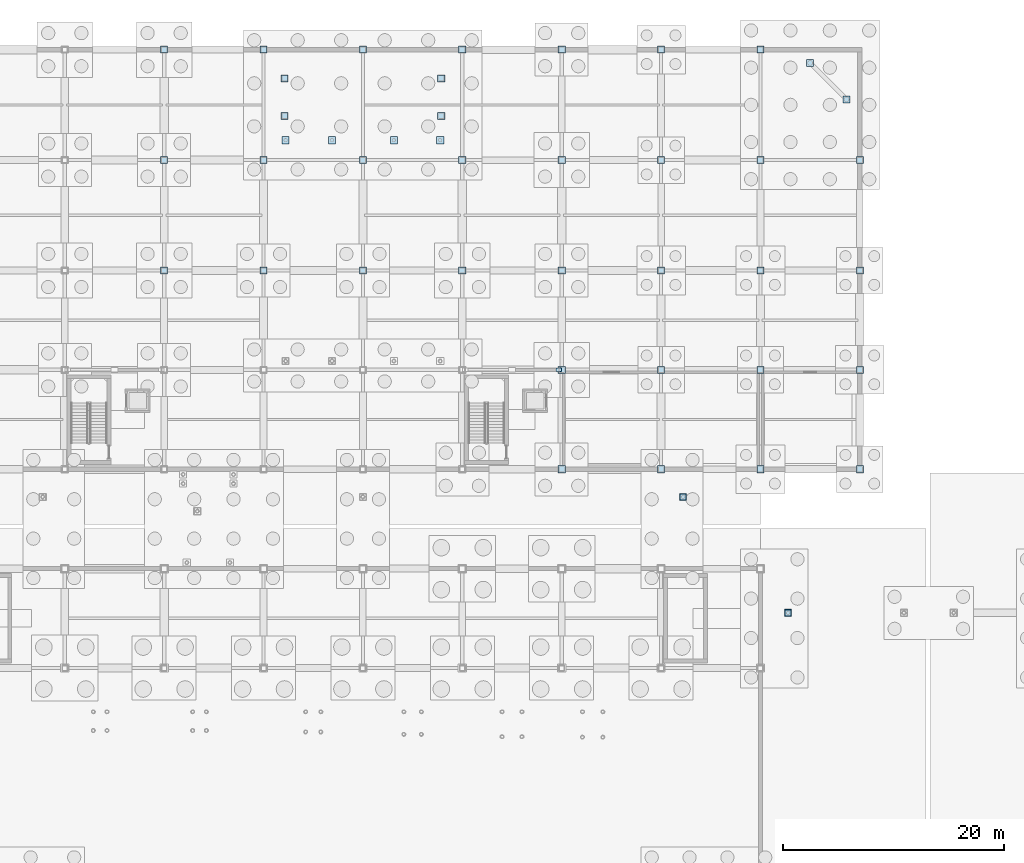
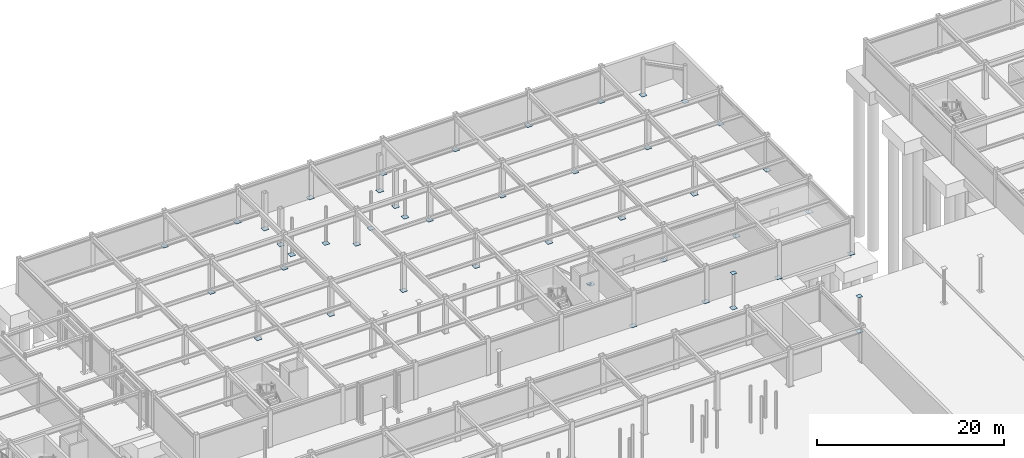
# One storey, part 49 of 74: 46 plates.
"""IFC4 building model written with IfcOpenShell, lengths in metres."""

from ifc_helpers import new_model, si_unit, direction, frame, origin, origin_2d, place, context, subcontext, project, spatial, rectangle, extrude, material, layer, layer_set, type_object, element, save


model = new_model("IFC4")

# Units and contexts
model_context = context("Model", 3, precision=1e-05, world=origin(), true_north=direction((0.0, 1.0)))
body_context = subcontext(model_context, "Body", "Model", "MODEL_VIEW")
ifc_project = project(units=[si_unit("LENGTHUNIT", "METRE"), si_unit("AREAUNIT", "SQUARE_METRE"), si_unit("VOLUMEUNIT", "CUBIC_METRE"), si_unit("PLANEANGLEUNIT", "RADIAN"), si_unit("MASSUNIT", "GRAM", prefix="KILO")], contexts=[model_context])

# Site, building, storey
site_placement = place(None, origin())
site = spatial("IfcSite", under=ifc_project, at=site_placement, CompositionType="ELEMENT")
building_placement = place(site_placement, origin())
building = spatial("IfcBuilding", under=site, at=building_placement, Name="Suzunagisa Mobility Hub", CompositionType="ELEMENT")
storey_placement = place(building_placement, frame((0.0, 0.0, -4.800048828125)))
storey = spatial("IfcBuildingStorey", under=building, at=storey_placement, Name="B1", CompositionType="ELEMENT", Elevation=-4.800048828125)

# Plates
ifc_material = material(Name="Steel SN490B", Category="steel")
ifc_layer_1 = layer(ifc_material, 0.02392578125)
ifc_layer_set_1 = layer_set([ifc_layer_1], Name="Steel SN490B")
plate_type_1 = type_object("IfcPlateType", Name="Structural Steel Plate SP-01 550x550x24", PredefinedType="USERDEFINED", material=ifc_layer_set_1)
for number, where, z_axis, x_axis, name in (
    (1, (110.0, 77.5, 4.55517578125), (0.0, 0.0, 1.0), (1.0, 0.0, 0.0), "B1 Column Cap Plate CP-209"),
    (2, (119.5, 67.0, 4.55517578125), (0.0, 0.0, 1.0), (1.0, 0.0, 0.0), "B1 Column Cap Plate CP-222"),
):
    element("IfcPlate", number, at=place(storey_placement, frame(where, z_axis=z_axis, x_axis=x_axis)), inside=storey, type_object=plate_type_1, Name=name, ObjectType="BASE PLATE", PredefinedType="USERDEFINED", context=body_context, shape_type="SweptSolid", body=[
        extrude(rectangle(XDim=0.550048828125, YDim=0.550048828125, at=origin_2d()), origin(), (0.0, 0.0, 1.0), 0.02392578125),
    ])
ifc_layer_2 = layer(ifc_material, 0.028076171875)
ifc_layer_set_2 = layer_set([ifc_layer_2], Name="Steel SN490B")
plate_type_2 = type_object("IfcPlateType", Name="Structural Steel Plate SP-04 480x320x28", PredefinedType="USERDEFINED", material=ifc_layer_set_2)
plate_placement = place(storey_placement, frame((98.72998046875, 89.0, 0.10595703125), z_axis=(0.0, 0.0, 1.0), x_axis=(1.0, 0.0, 0.0)))
element("IfcPlate", 3, at=plate_placement, inside=storey, type_object=plate_type_2, Name="B1 Brace Foot Gusset Plate FGP-119.2", ObjectType="GUSSET PLATE", PredefinedType="USERDEFINED", context=body_context, shape_type="SweptSolid", body=[
    extrude(rectangle(XDim=0.47998046875, YDim=0.320068359375, at=origin_2d()), origin(), (0.0, 0.0, 1.0), 0.028076171875),
])
ifc_layer_3 = layer(ifc_material, 0.031982421875)
ifc_layer_set_3 = layer_set([ifc_layer_3], Name="Steel SN490B")
plate_type_3 = type_object("IfcPlateType", Name="Structural Steel Plate SP-05 650x650x32", PredefinedType="USERDEFINED", material=ifc_layer_set_3)
for number, where, z_axis, x_axis, name in (
    (4, (63.0, 98.0, -0.03173828125), (0.0, 0.0, 1.0), (1.0, 0.0, 0.0), "Column Base Plate BP-140"),
    (5, (63.0, 108.0, -0.03173828125), (0.0, 0.0, 1.0), (1.0, 0.0, 0.0), "Column Base Plate BP-141"),
    (6, (63.0, 118.0, -0.03173828125), (0.0, 0.0, 1.0), (1.0, 0.0, 0.0), "Column Base Plate BP-142"),
    (7, (72.0, 98.0, -0.03173828125), (0.0, 0.0, 1.0), (1.0, 0.0, 0.0), "Column Base Plate BP-156"),
    (8, (72.0, 108.0, -0.03173828125), (0.0, 0.0, 1.0), (1.0, 0.0, 0.0), "Column Base Plate BP-157"),
    (9, (72.0, 118.0, -0.03173828125), (0.0, 0.0, 1.0), (1.0, 0.0, 0.0), "Column Base Plate BP-158"),
    (10, (73.89990234375, 112.0, -0.03173828125), (0.0, 0.0, 1.0), (1.0, 0.0, 0.0), "Column Base Plate BP-159"),
    (11, (73.89990234375, 115.39990234375, -0.03173828125), (0.0, 0.0, 1.0), (1.0, 0.0, 0.0), "Column Base Plate BP-160"),
    (12, (74.0, 109.800048828125, -0.03173828125), (0.0, 0.0, 1.0), (1.0, 0.0, 0.0), "Column Base Plate BP-162"),
    (13, (78.199951171875, 109.800048828125, -0.03173828125), (0.0, 0.0, 1.0), (1.0, 0.0, 0.0), "Column Base Plate BP-164"),
    (14, (81.0, 98.0, -0.03173828125), (0.0, 0.0, 1.0), (1.0, 0.0, 0.0), "Column Base Plate BP-173"),
    (15, (81.0, 108.0, -0.03173828125), (0.0, 0.0, 1.0), (1.0, 0.0, 0.0), "Column Base Plate BP-174"),
    (16, (81.0, 118.0, -0.03173828125), (0.0, 0.0, 1.0), (1.0, 0.0, 0.0), "Column Base Plate BP-175"),
    (17, (83.800048828125, 109.800048828125, -0.03173828125), (0.0, 0.0, 1.0), (1.0, 0.0, 0.0), "Column Base Plate BP-177"),
    (18, (88.0, 109.800048828125, -0.03173828125), (0.0, 0.0, 1.0), (1.0, 0.0, 0.0), "Column Base Plate BP-179"),
    (19, (88.10009765625, 112.0, -0.03173828125), (0.0, 0.0, 1.0), (1.0, 0.0, 0.0), "Column Base Plate BP-180"),
    (20, (88.10009765625, 115.39990234375, -0.03173828125), (0.0, 0.0, 1.0), (1.0, 0.0, 0.0), "Column Base Plate BP-181"),
    (21, (90.0, 98.0, -0.03173828125), (0.0, 0.0, 1.0), (1.0, 0.0, 0.0), "Column Base Plate BP-188"),
    (22, (90.0, 108.0, -0.03173828125), (0.0, 0.0, 1.0), (1.0, 0.0, 0.0), "Column Base Plate BP-189"),
    (23, (90.0, 118.0, -0.03173828125), (0.0, 0.0, 1.0), (1.0, 0.0, 0.0), "Column Base Plate BP-190"),
    (24, (99.0, 80.0, -0.03173828125), (0.0, 0.0, 1.0), (1.0, 0.0, 0.0), "Column Base Plate BP-195"),
    (25, (99.0, 89.0, -0.03173828125), (0.0, 0.0, 1.0), (1.0, 0.0, 0.0), "Column Base Plate BP-196"),
    (26, (99.0, 98.0, -0.03173828125), (0.0, 0.0, 1.0), (1.0, 0.0, 0.0), "Column Base Plate BP-197"),
    (27, (99.0, 108.0, -0.03173828125), (0.0, 0.0, 1.0), (1.0, 0.0, 0.0), "Column Base Plate BP-198"),
    (28, (99.0, 118.0, -0.03173828125), (0.0, 0.0, 1.0), (1.0, 0.0, 0.0), "Column Base Plate BP-199"),
    (29, (108.0, 80.0, -0.03173828125), (0.0, 0.0, 1.0), (1.0, 0.0, 0.0), "Column Base Plate BP-204"),
    (30, (108.0, 89.0, -0.03173828125), (0.0, 0.0, 1.0), (1.0, 0.0, 0.0), "Column Base Plate BP-205"),
    (31, (108.0, 98.0, -0.03173828125), (0.0, 0.0, 1.0), (1.0, 0.0, 0.0), "Column Base Plate BP-206"),
    (32, (108.0, 108.0, -0.03173828125), (0.0, 0.0, 1.0), (1.0, 0.0, 0.0), "Column Base Plate BP-207"),
    (33, (108.0, 118.0, -0.03173828125), (0.0, 0.0, 1.0), (1.0, 0.0, 0.0), "Column Base Plate BP-208"),
    (34, (110.0, 77.5, -0.03173828125), (0.0, 0.0, 1.0), (1.0, 0.0, 0.0), "Column Base Plate BP-209"),
    (35, (117.0, 80.0, -0.03173828125), (0.0, 0.0, 1.0), (1.0, 0.0, 0.0), "Column Base Plate BP-215"),
    (36, (117.0, 89.0, -0.03173828125), (0.0, 0.0, 1.0), (1.0, 0.0, 0.0), "Column Base Plate BP-216"),
    (37, (117.0, 98.0, -0.03173828125), (0.0, 0.0, 1.0), (1.0, 0.0, 0.0), "Column Base Plate BP-217"),
    (38, (117.0, 108.0, -0.03173828125), (0.0, 0.0, 1.0), (1.0, 0.0, 0.0), "Column Base Plate BP-218"),
    (39, (117.0, 118.0, -0.03173828125), (0.0, 0.0, 1.0), (1.0, 0.0, 0.0), "Column Base Plate BP-219"),
    (40, (119.5, 67.0, -0.03173828125), (0.0, 0.0, 1.0), (1.0, 0.0, 0.0), "Column Base Plate BP-222"),
    (41, (121.5, 116.794189453125, -0.03173828125), (0.0, 0.0, 1.0), (1.0, 0.0, 0.0), "Column Base Plate BP-223"),
    (42, (124.794189453125, 113.5, -0.03173828125), (0.0, 0.0, 1.0), (1.0, 0.0, 0.0), "Column Base Plate BP-227"),
    (43, (126.0, 80.0, -0.03173828125), (0.0, 0.0, 1.0), (1.0, 0.0, 0.0), "Column Base Plate BP-233"),
    (44, (126.0, 89.0, -0.03173828125), (0.0, 0.0, 1.0), (1.0, 0.0, 0.0), "Column Base Plate BP-234"),
    (45, (126.0, 98.0, -0.03173828125), (0.0, 0.0, 1.0), (1.0, 0.0, 0.0), "Column Base Plate BP-235"),
    (46, (126.0, 108.0, -0.03173828125), (0.0, 0.0, 1.0), (1.0, 0.0, 0.0), "Column Base Plate BP-236"),
):
    element("IfcPlate", number, at=place(storey_placement, frame(where, z_axis=z_axis, x_axis=x_axis)), inside=storey, type_object=plate_type_3, Name=name, ObjectType="BASE PLATE", PredefinedType="USERDEFINED", context=body_context, shape_type="SweptSolid", body=[
        extrude(rectangle(XDim=0.64990234375, YDim=0.64990234375, at=origin_2d()), origin(), (0.0, 0.0, 1.0), 0.031982421875),
    ])

save(model, "model.ifc")
